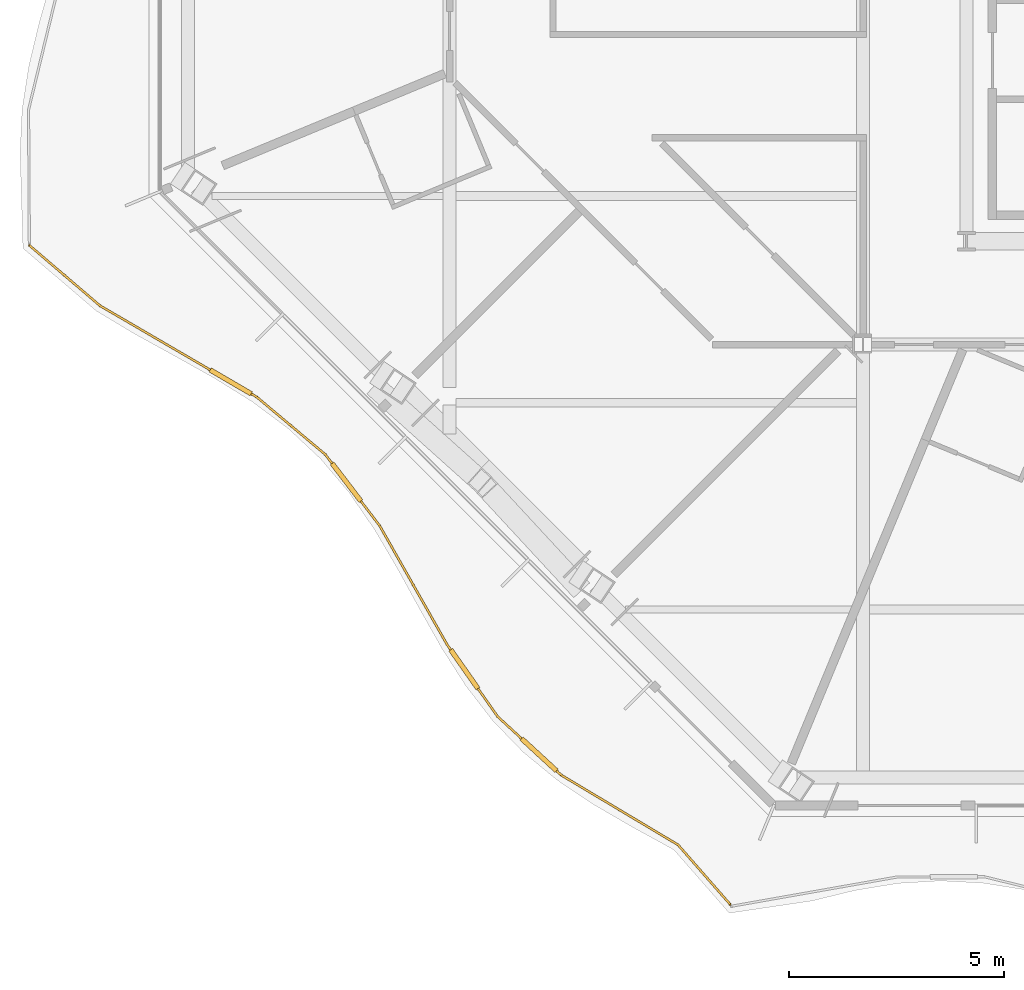
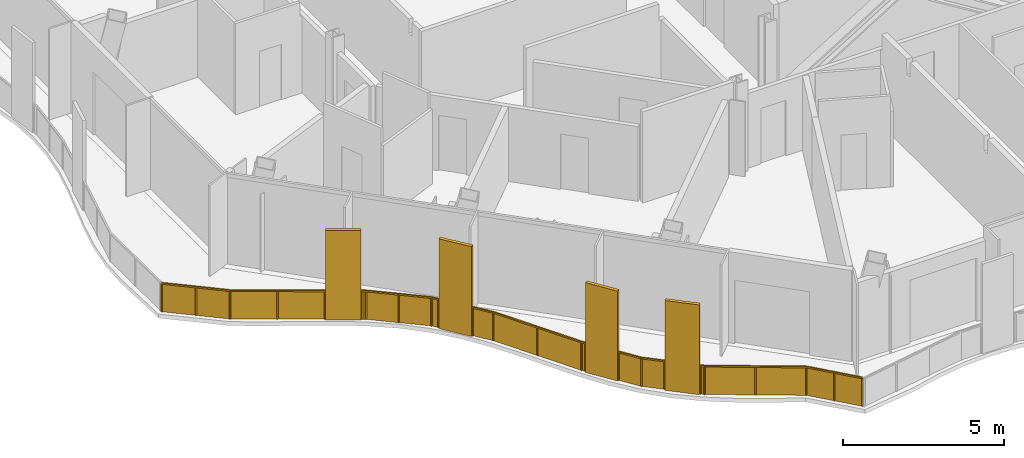
# One storey, part 15 of 22: 1 railing.
"""IFC4 building model written with IfcOpenShell, lengths in metres."""

from ifc_helpers import new_model, si_unit, direction, frame, origin, origin_2d, place, context, subcontext, project, spatial, polyline, rectangle, outline, extrude, material, type_object, element, save


model = new_model("IFC4")

# Units and contexts
model_context = context("Model", 3, precision=1e-05, world=origin(), true_north=direction((0.0, 1.0)))
body_context = subcontext(model_context, "Body", "Model", "MODEL_VIEW")
ifc_project = project(units=[si_unit("LENGTHUNIT", "METRE"), si_unit("AREAUNIT", "SQUARE_METRE"), si_unit("VOLUMEUNIT", "CUBIC_METRE"), si_unit("PLANEANGLEUNIT", "RADIAN"), si_unit("MASSUNIT", "GRAM", prefix="KILO")], contexts=[model_context])

# Site, building, storey
site_placement = place(None, origin())
site = spatial("IfcSite", under=ifc_project, at=site_placement, CompositionType="ELEMENT")
building_placement = place(site_placement, origin())
building = spatial("IfcBuilding", under=site, at=building_placement, Name="Cairn Pilgrim Tower", CompositionType="ELEMENT")
storey_placement = place(building_placement, frame((0.0, 0.0, 175.800048828125)))
storey = spatial("IfcBuildingStorey", under=building, at=storey_placement, Name="L44", CompositionType="ELEMENT", Elevation=175.800048828125)

# Railing
ifc_material = material(Name="Bronze anodised aluminium rail, posts and fin screens with laminated glass infill", Category="aluminium")
railing_type = type_object("IfcRailingType", Name="BALCONY GUARD WITH FIN SCREENS", PredefinedType="GUARDRAIL", material=ifc_material)
railing_placement = place(storey_placement, frame((-24.1572265625, -6.094970703125, 0.0)))
element("IfcRailing", 1, at=railing_placement, inside=storey, type_object=railing_type, Name="Balcony guard BGF-8 with fin screens", PredefinedType="GUARDRAIL", context=body_context, shape_type="SweptSolid", body=[
    extrude(rectangle(XDim=0.050048828125, YDim=0.050048828125, at=origin_2d()), frame((0.0, 0.0, 1.0751953125), z_axis=(0.7603259414, -0.649541732942, 0.0), x_axis=(0.649541732942, 0.7603259414, 0.0)), (0.0, 0.0, 1.0), 2.157470703125),
    extrude(rectangle(XDim=1.10009765625, YDim=0.110107421875, at=origin_2d()), frame((4.67431640625, -3.169189453125, 0.0), z_axis=(0.0, 0.0, 1.0), x_axis=(0.864031110762, -0.503438416925, 0.0)), (0.0, 0.0, 1.0), 3.39990234375),
    extrude(rectangle(XDim=0.050048828125, YDim=0.050048828125, at=origin_2d()), frame((1.640380859375, -1.4013671875, 1.0751953125), z_axis=(0.864031110762, -0.503438416925, 0.0), x_axis=(0.503438416925, 0.864031110762, 0.0)), (0.0, 0.0, 1.0), 2.96142578125),
    extrude(rectangle(XDim=0.050048828125, YDim=0.050048828125, at=origin_2d()), frame((5.1494140625, -3.446044921875, 1.0751953125), z_axis=(0.864031110762, -0.503438416925, 0.0), x_axis=(0.503438416925, 0.864031110762, 0.0)), (0.0, 0.0, 1.0), 0.14990234375),
    extrude(rectangle(XDim=0.050048828125, YDim=0.050048828125, at=origin_2d()), frame((5.279052734375, -3.521484375, 1.0751953125), z_axis=(0.766471925995, -0.642277811124, 0.0), x_axis=(0.642277811124, 0.766471925995, 0.0)), (0.0, 0.0, 1.0), 2.073974609375),
    extrude(rectangle(XDim=1.10009765625, YDim=0.110107421875, at=origin_2d()), frame((7.3623046875, -5.5, 0.0), z_axis=(0.0, 0.0, 1.0), x_axis=(0.606827393974, -0.794833639149, 0.0)), (0.0, 0.0, 1.0), 3.39990234375),
    extrude(rectangle(XDim=0.050048828125, YDim=0.050048828125, at=origin_2d()), frame((6.86865234375, -4.853515625, 1.0751953125), z_axis=(0.606827393974, -0.794833639149, 0.0), x_axis=(0.794833639149, 0.606827393974, 0.0)), (0.0, 0.0, 1.0), 0.263427734375),
    extrude(rectangle(XDim=0.050048828125, YDim=0.050048828125, at=origin_2d()), frame((7.696044921875, -5.937255859375, 1.0751953125), z_axis=(0.606827393974, -0.794833639149, 0.0), x_axis=(0.794833639149, 0.606827393974, 0.0)), (0.0, 0.0, 1.0), 0.71826171875),
    extrude(rectangle(XDim=0.050048828125, YDim=0.050048828125, at=origin_2d()), frame((8.1318359375, -6.508056640625, 1.0751953125), z_axis=(0.493367919347, -0.869820726449, 0.0), x_axis=(0.869820726449, 0.493367919347, 0.0)), (0.0, 0.0, 1.0), 3.171875),
    extrude(rectangle(XDim=1.10009765625, YDim=0.110107421875, at=origin_2d()), frame((10.09912109375, -9.83984375, 0.0), z_axis=(0.0, 0.0, 1.0), x_axis=(0.574768292729, -0.818316203966, 0.0)), (0.0, 0.0, 1.0), 3.39990234375),
    extrude(rectangle(XDim=0.050048828125, YDim=0.050048828125, at=origin_2d()), frame((9.69677734375, -9.26708984375, 1.0751953125), z_axis=(0.574768292729, -0.818316203966, 0.0), x_axis=(0.818316203966, 0.574768292729, 0.0)), (0.0, 0.0, 1.0), 0.150146484375),
    extrude(rectangle(XDim=0.050048828125, YDim=0.050048828125, at=origin_2d()), frame((10.415283203125, -10.2900390625, 1.0751953125), z_axis=(0.574768292729, -0.818316203966, 0.0), x_axis=(0.818316203966, 0.574768292729, 0.0)), (0.0, 0.0, 1.0), 0.7939453125),
    extrude(rectangle(XDim=1.10009765625, YDim=0.110107421875, at=origin_2d()), frame((11.832763671875, -11.82470703125, 0.0), z_axis=(0.0, 0.0, 1.0), x_axis=(0.735647214473, -0.677364876443, 0.0)), (0.0, 0.0, 1.0), 3.39990234375),
    extrude(rectangle(XDim=0.050048828125, YDim=0.050048828125, at=origin_2d()), frame((10.87158203125, -10.939697265625, 1.0751953125), z_axis=(0.735647214473, -0.677364876443, 0.0), x_axis=(0.677364876443, 0.735647214473, 0.0)), (0.0, 0.0, 1.0), 0.756591796875),
    extrude(rectangle(XDim=0.050048828125, YDim=0.050048828125, at=origin_2d()), frame((12.2373046875, -12.197265625, 1.0751953125), z_axis=(0.735647214473, -0.677364876443, 0.0), x_axis=(0.677364876443, 0.735647214473, 0.0)), (0.0, 0.0, 1.0), 0.14990234375),
    extrude(rectangle(XDim=0.050048828125, YDim=0.050048828125, at=origin_2d()), frame((12.34765625, -12.298828125, 1.0751953125), z_axis=(0.858595716878, -0.51265328923, 0.0), x_axis=(0.51265328923, 0.858595716878, 0.0)), (0.0, 0.0, 1.0), 3.158935546875),
    extrude(rectangle(XDim=0.050048828125, YDim=0.050048828125, at=origin_2d()), frame((15.059814453125, -13.918212890625, 1.0751953125), z_axis=(0.658891047553, -0.752238384726, 0.0), x_axis=(0.752238384726, 0.658891047553, 0.0)), (0.0, 0.0, 1.0), 1.83349609375),
    extrude(rectangle(XDim=0.050048828125, YDim=0.050048828125, at=origin_2d()), origin(), (0.0, 0.0, 1.0), 1.050048828125),
    extrude(rectangle(XDim=0.050048828125, YDim=0.050048828125, at=origin_2d()), frame((0.8203125, -0.70068359375, 0.0)), (0.0, 0.0, 1.0), 1.050048828125),
    extrude(rectangle(XDim=0.050048828125, YDim=0.050048828125, at=origin_2d()), frame((1.640380859375, -1.4013671875, 0.0)), (0.0, 0.0, 1.0), 1.050048828125),
    extrude(rectangle(XDim=0.050048828125, YDim=0.050048828125, at=origin_2d()), frame((2.908935546875, -2.140380859375, 0.0)), (0.0, 0.0, 1.0), 1.050048828125),
    extrude(rectangle(XDim=0.050048828125, YDim=0.050048828125, at=origin_2d()), frame((4.177490234375, -2.879638671875, 0.0)), (0.0, 0.0, 1.0), 1.050048828125),
    extrude(rectangle(XDim=0.050048828125, YDim=0.050048828125, at=origin_2d()), frame((5.171142578125, -3.45849609375, 0.0)), (0.0, 0.0, 1.0), 1.050048828125),
    extrude(rectangle(XDim=0.050048828125, YDim=0.050048828125, at=origin_2d()), frame((5.279052734375, -3.521484375, 0.0)), (0.0, 0.0, 1.0), 1.050048828125),
    extrude(rectangle(XDim=0.050048828125, YDim=0.050048828125, at=origin_2d()), frame((6.07373046875, -4.1875, 0.0)), (0.0, 0.0, 1.0), 1.050048828125),
    extrude(rectangle(XDim=0.050048828125, YDim=0.050048828125, at=origin_2d()), frame((6.86865234375, -4.853515625, 0.0)), (0.0, 0.0, 1.0), 1.050048828125),
    extrude(rectangle(XDim=0.050048828125, YDim=0.050048828125, at=origin_2d()), frame((7.01318359375, -5.04296875, 0.0)), (0.0, 0.0, 1.0), 1.050048828125),
    extrude(rectangle(XDim=0.050048828125, YDim=0.050048828125, at=origin_2d()), frame((7.711181640625, -5.95703125, 0.0)), (0.0, 0.0, 1.0), 1.050048828125),
    extrude(rectangle(XDim=0.050048828125, YDim=0.050048828125, at=origin_2d()), frame((8.1318359375, -6.508056640625, 0.0)), (0.0, 0.0, 1.0), 1.050048828125),
    extrude(rectangle(XDim=0.050048828125, YDim=0.050048828125, at=origin_2d()), frame((8.914306640625, -7.8876953125, 0.0)), (0.0, 0.0, 1.0), 1.050048828125),
    extrude(rectangle(XDim=0.050048828125, YDim=0.050048828125, at=origin_2d()), frame((9.69677734375, -9.26708984375, 0.0)), (0.0, 0.0, 1.0), 1.050048828125),
    extrude(rectangle(XDim=0.050048828125, YDim=0.050048828125, at=origin_2d()), frame((9.7685546875, -9.369384765625, 0.0)), (0.0, 0.0, 1.0), 1.050048828125),
    extrude(rectangle(XDim=0.050048828125, YDim=0.050048828125, at=origin_2d()), frame((10.4296875, -10.310546875, 0.0)), (0.0, 0.0, 1.0), 1.050048828125),
    extrude(rectangle(XDim=0.050048828125, YDim=0.050048828125, at=origin_2d()), frame((10.87158203125, -10.939697265625, 0.0)), (0.0, 0.0, 1.0), 1.050048828125),
    extrude(rectangle(XDim=0.050048828125, YDim=0.050048828125, at=origin_2d()), frame((11.40966796875, -11.435302734375, 0.0)), (0.0, 0.0, 1.0), 1.050048828125),
    extrude(rectangle(XDim=0.050048828125, YDim=0.050048828125, at=origin_2d()), frame((12.255859375, -12.21435546875, 0.0)), (0.0, 0.0, 1.0), 1.050048828125),
    extrude(rectangle(XDim=0.050048828125, YDim=0.050048828125, at=origin_2d()), frame((12.34765625, -12.298828125, 0.0)), (0.0, 0.0, 1.0), 1.050048828125),
    extrude(rectangle(XDim=0.050048828125, YDim=0.050048828125, at=origin_2d()), frame((13.70361328125, -13.1083984375, 0.0)), (0.0, 0.0, 1.0), 1.050048828125),
    extrude(rectangle(XDim=0.050048828125, YDim=0.050048828125, at=origin_2d()), frame((15.059814453125, -13.918212890625, 0.0)), (0.0, 0.0, 1.0), 1.050048828125),
    extrude(rectangle(XDim=0.050048828125, YDim=0.050048828125, at=origin_2d()), frame((15.663818359375, -14.60791015625, 0.0)), (0.0, 0.0, 1.0), 1.050048828125),
    extrude(rectangle(XDim=0.050048828125, YDim=0.050048828125, at=origin_2d()), frame((16.267822265625, -15.29736328125, 0.0)), (0.0, 0.0, 1.0), 1.050048828125),
    extrude(outline(polyline([(0.02490234375, 0.0), (1.0537109375, 0.0), (1.0537109375, 1.050048828125), (0.02490234375, 1.050048828125), (0.02490234375, 0.0)])), frame((0.00390625, 0.004638671875, 0.0), z_axis=(-0.649541732942, -0.7603259414, 0.0), x_axis=(0.7603259414, -0.649541732942, 0.0)), (0.0, 0.0, 1.0), 0.011962890625),
    extrude(outline(polyline([(0.02490234375, 0.0), (1.0537109375, 0.0), (1.0537109375, 1.050048828125), (0.02490234375, 1.050048828125), (0.02490234375, 0.0)])), frame((0.823974609375, -0.696044921875, 0.0), z_axis=(-0.649541732942, -0.7603259414, 0.0), x_axis=(0.7603259414, -0.649541732942, 0.0)), (0.0, 0.0, 1.0), 0.011962890625),
    extrude(outline(polyline([(0.02490234375, 0.0), (1.443115234375, 0.0), (1.443115234375, 1.050048828125), (0.02490234375, 1.050048828125), (0.02490234375, 0.0)])), frame((1.643310546875, -1.396240234375, 0.0), z_axis=(-0.503438416925, -0.864031110762, 0.0), x_axis=(0.864031110762, -0.503438416925, 0.0)), (0.0, 0.0, 1.0), 0.011962890625),
    extrude(outline(polyline([(0.02490234375, 0.0), (1.443115234375, 0.0), (1.443115234375, 1.050048828125), (0.02490234375, 1.050048828125), (0.02490234375, 0.0)])), frame((2.911865234375, -2.13525390625, 0.0), z_axis=(-0.503438416925, -0.864031110762, 0.0), x_axis=(0.864031110762, -0.503438416925, 0.0)), (0.0, 0.0, 1.0), 0.011962890625),
    extrude(outline(polyline([(0.02490234375, 0.0), (0.099853515625, 0.0), (0.099853515625, 1.050048828125), (0.02490234375, 1.050048828125), (0.02490234375, 0.0)])), frame((5.174072265625, -3.453369140625, 0.0), z_axis=(-0.503438416925, -0.864031110762, 0.0), x_axis=(0.864031110762, -0.503438416925, 0.0)), (0.0, 0.0, 1.0), 0.011962890625),
    extrude(outline(polyline([(0.02490234375, 0.0), (1.011962890625, 0.0), (1.011962890625, 1.050048828125), (0.02490234375, 1.050048828125), (0.02490234375, 0.0)])), frame((5.282958984375, -3.516845703125, 0.0), z_axis=(-0.642277811124, -0.766471925995, 0.0), x_axis=(0.766471925995, -0.642277811124, 0.0)), (0.0, 0.0, 1.0), 0.011962890625),
    extrude(outline(polyline([(0.02490234375, 0.0), (1.011962890625, 0.0), (1.011962890625, 1.050048828125), (0.02490234375, 1.050048828125), (0.02490234375, 0.0)])), frame((6.07763671875, -4.182861328125, 0.0), z_axis=(-0.642277811124, -0.766471925995, 0.0), x_axis=(0.766471925995, -0.642277811124, 0.0)), (0.0, 0.0, 1.0), 0.011962890625),
    extrude(outline(polyline([(0.02490234375, 0.0), (0.21337890625, 0.0), (0.21337890625, 1.050048828125), (0.02490234375, 1.050048828125), (0.02490234375, 0.0)])), frame((6.873291015625, -4.849853515625, 0.0), z_axis=(-0.794833639149, -0.606827393974, 0.0), x_axis=(0.606827393974, -0.794833639149, 0.0)), (0.0, 0.0, 1.0), 0.011962890625),
    extrude(outline(polyline([(0.02490234375, 0.0), (0.668212890625, 0.0), (0.668212890625, 1.050048828125), (0.02490234375, 1.050048828125), (0.02490234375, 0.0)])), frame((7.7158203125, -5.953369140625, 0.0), z_axis=(-0.794833639149, -0.606827393974, 0.0), x_axis=(0.606827393974, -0.794833639149, 0.0)), (0.0, 0.0, 1.0), 0.011962890625),
    extrude(outline(polyline([(0.02490234375, 0.0), (1.56103515625, 0.0), (1.56103515625, 1.050048828125), (0.02490234375, 1.050048828125), (0.02490234375, 0.0)])), frame((8.136962890625, -6.505126953125, 0.0), z_axis=(-0.869820726449, -0.493367919347, 0.0), x_axis=(0.493367919347, -0.869820726449, 0.0)), (0.0, 0.0, 1.0), 0.011962890625),
    extrude(outline(polyline([(0.02490234375, 0.0), (1.56103515625, 0.0), (1.56103515625, 1.050048828125), (0.02490234375, 1.050048828125), (0.02490234375, 0.0)])), frame((8.91943359375, -7.884521484375, 0.0), z_axis=(-0.869820726449, -0.493367919347, 0.0), x_axis=(0.493367919347, -0.869820726449, 0.0)), (0.0, 0.0, 1.0), 0.011962890625),
    extrude(outline(polyline([(0.02490234375, 0.0), (0.10009765625, 0.0), (0.10009765625, 1.050048828125), (0.02490234375, 1.050048828125), (0.02490234375, 0.0)])), frame((9.70166015625, -9.263671875, 0.0), z_axis=(-0.818316203966, -0.574768292729, 0.0), x_axis=(0.574768292729, -0.818316203966, 0.0)), (0.0, 0.0, 1.0), 0.011962890625),
    extrude(outline(polyline([(0.02490234375, 0.0), (0.743896484375, 0.0), (0.743896484375, 1.050048828125), (0.02490234375, 1.050048828125), (0.02490234375, 0.0)])), frame((10.4345703125, -10.30712890625, 0.0), z_axis=(-0.818316203966, -0.574768292729, 0.0), x_axis=(0.574768292729, -0.818316203966, 0.0)), (0.0, 0.0, 1.0), 0.011962890625),
    extrude(outline(polyline([(0.02490234375, 0.0), (0.70654296875, 0.0), (0.70654296875, 1.050048828125), (0.02490234375, 1.050048828125), (0.02490234375, 0.0)])), frame((10.875732421875, -10.935302734375, 0.0), z_axis=(-0.677364876443, -0.735647214473, 0.0), x_axis=(0.735647214473, -0.677364876443, 0.0)), (0.0, 0.0, 1.0), 0.011962890625),
    extrude(outline(polyline([(0.02490234375, 0.0), (0.099853515625, 0.0), (0.099853515625, 1.050048828125), (0.02490234375, 1.050048828125), (0.02490234375, 0.0)])), frame((12.259765625, -12.2099609375, 0.0), z_axis=(-0.677364876443, -0.735647214473, 0.0), x_axis=(0.735647214473, -0.677364876443, 0.0)), (0.0, 0.0, 1.0), 0.011962890625),
    extrude(outline(polyline([(0.02490234375, 0.0), (1.554443359375, 0.0), (1.554443359375, 1.050048828125), (0.02490234375, 1.050048828125), (0.02490234375, 0.0)])), frame((12.350830078125, -12.293701171875, 0.0), z_axis=(-0.51265328923, -0.858595716878, 0.0), x_axis=(0.858595716878, -0.51265328923, 0.0)), (0.0, 0.0, 1.0), 0.011962890625),
    extrude(outline(polyline([(0.02490234375, 0.0), (1.554443359375, 0.0), (1.554443359375, 1.050048828125), (0.02490234375, 1.050048828125), (0.02490234375, 0.0)])), frame((13.706787109375, -13.103271484375, 0.0), z_axis=(-0.51265328923, -0.858595716878, 0.0), x_axis=(0.858595716878, -0.51265328923, 0.0)), (0.0, 0.0, 1.0), 0.011962890625),
    extrude(outline(polyline([(0.02490234375, 0.0), (0.8916015625, 0.0), (0.8916015625, 1.050048828125), (0.02490234375, 1.050048828125), (0.02490234375, 0.0)])), frame((15.064208984375, -13.914306640625, 0.0), z_axis=(-0.752238384726, -0.658891047553, 0.0), x_axis=(0.658891047553, -0.752238384726, 0.0)), (0.0, 0.0, 1.0), 0.011962890625),
    extrude(outline(polyline([(0.02490234375, 0.0), (0.8916015625, 0.0), (0.8916015625, 1.050048828125), (0.02490234375, 1.050048828125), (0.02490234375, 0.0)])), frame((15.668212890625, -14.603759765625, 0.0), z_axis=(-0.752238384726, -0.658891047553, 0.0), x_axis=(0.658891047553, -0.752238384726, 0.0)), (0.0, 0.0, 1.0), 0.011962890625),
])

save(model, "model.ifc")
